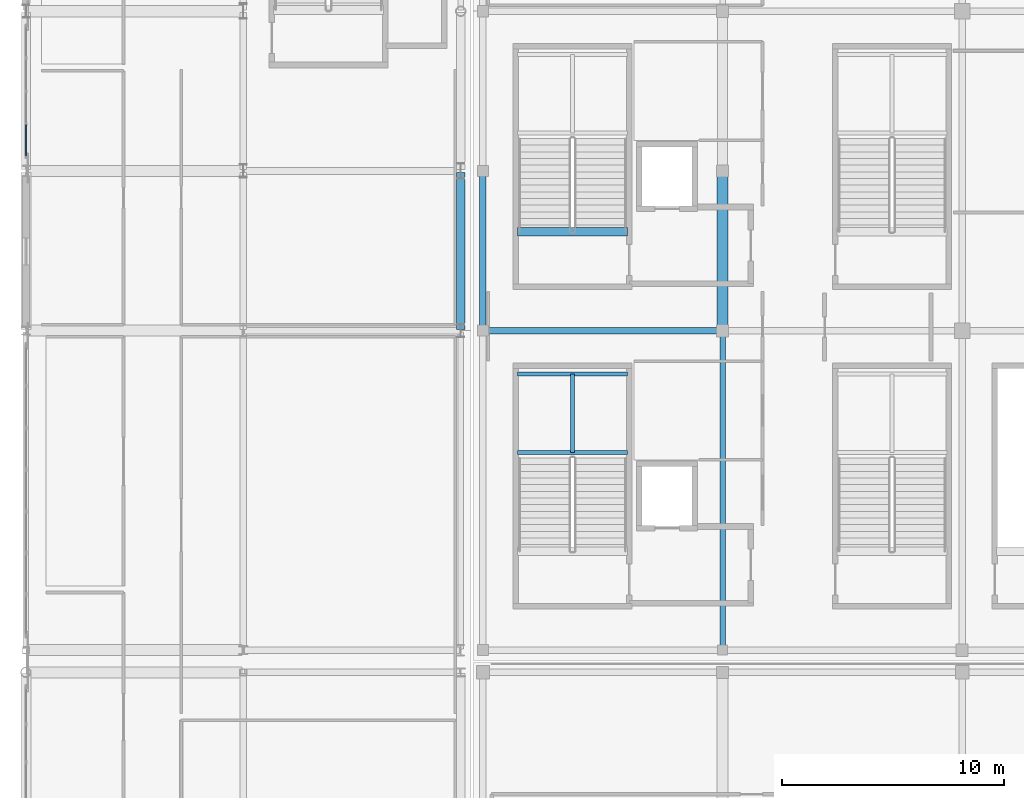
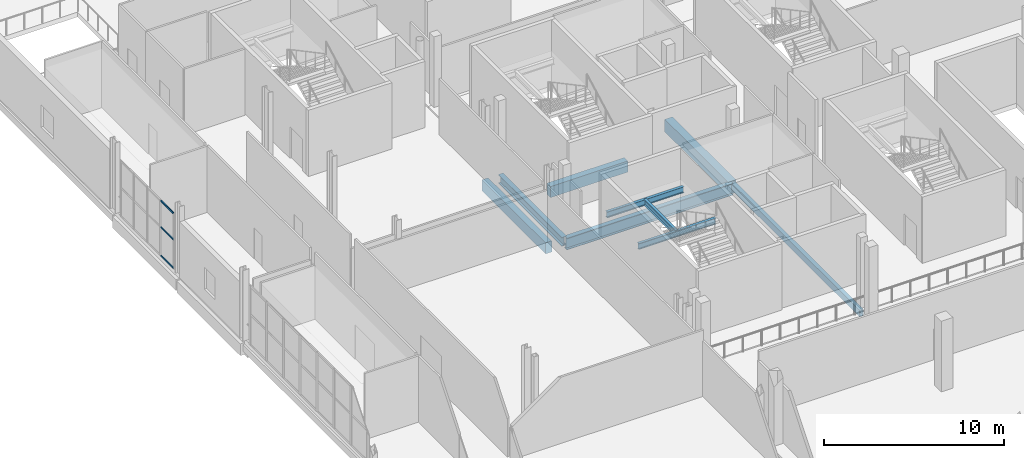
# One storey, part 19 of 129: 9 beams, 3 members, 1 element without a shape of its own.
"""IFC4 building model written with IfcOpenShell, lengths in metres."""

from ifc_helpers import new_model, si_unit, direction, frame, origin, origin_2d, place, context, subcontext, project, spatial, rectangle, hollow_rectangle, i_section, extrude, material, material_profile, profile_set, type_object, element, aggregate, save


model = new_model("IFC4")

# Units and contexts
model_context = context("Model", 3, precision=1e-05, world=origin(), true_north=direction((0.0, 1.0)))
body_context = subcontext(model_context, "Body", "Model", "MODEL_VIEW")
ifc_project = project(units=[si_unit("LENGTHUNIT", "METRE"), si_unit("AREAUNIT", "SQUARE_METRE"), si_unit("VOLUMEUNIT", "CUBIC_METRE"), si_unit("PLANEANGLEUNIT", "RADIAN"), si_unit("MASSUNIT", "GRAM", prefix="KILO")], contexts=[model_context])

# Site, building, storey
site_placement = place(None, origin())
site = spatial("IfcSite", under=ifc_project, at=site_placement, CompositionType="ELEMENT")
building_placement = place(site_placement, origin())
building = spatial("IfcBuilding", under=site, at=building_placement, Name="Koshinbarg Plaza Stadium", CompositionType="ELEMENT")
storey_placement = place(building_placement, frame((0.0, 0.0, 5.39990234375)))
storey = spatial("IfcBuildingStorey", under=building, at=storey_placement, Name="L01", CompositionType="ELEMENT", Elevation=5.39990234375)

# Beams
ifc_material_1 = material(Name="Concrete C40/50", Category="concrete")
ifc_material_profile_1 = material_profile(ifc_material_1, rectangle(XDim=0.39990234375, YDim=0.75, at=origin_2d()), Name="RC 400x750")
ifc_profile_set_1 = profile_set([ifc_material_profile_1], Name="Concrete C40/50")
beam_type_1 = type_object("IfcBeamType", Name="BM-RCG-03", PredefinedType="USERDEFINED", material=ifc_profile_set_1)
beam_1_placement = place(storey_placement, frame((23.60009765625, 39.9599609375, -0.69482421875), z_axis=(0.0, 1.0, 0.0), x_axis=(-1.0, 0.0, 0.0)))
element("IfcBeam", 1, at=beam_1_placement, inside=storey, type_object=beam_type_1, Name="L01 Y girder 4/F-G", ObjectType="GIRDER", PredefinedType="USERDEFINED", context=body_context, shape_type="SweptSolid", body=[
    extrude(rectangle(XDim=0.39990234375, YDim=0.75, at=origin_2d()), origin(), (0.0, 0.0, 1.0), 7.080078125),
])
beam_2_placement = place(storey_placement, frame((26.14990234375, 44.360107421875, -0.375), z_axis=(1.0, 0.0, 0.0), x_axis=(0.0, 1.0, 0.0)))
element("IfcBeam", 2, at=beam_2_placement, inside=storey, type_object=beam_type_1, Name="L01 stair landing header beam C02", ObjectType="GIRDER", PredefinedType="USERDEFINED", context=body_context, shape_type="SweptSolid", body=[
    extrude(rectangle(XDim=0.39990234375, YDim=0.75, at=origin_2d()), origin(), (0.0, 0.0, 1.0), 4.97021484375),
])
ifc_material_profile_2 = material_profile(ifc_material_1, rectangle(XDim=0.5, YDim=0.85009765625, at=origin_2d()), Name="RC 500x850")
ifc_profile_set_2 = profile_set([ifc_material_profile_2], Name="Concrete C40/50")
beam_type_2 = type_object("IfcBeamType", Name="BM-RCG-05", PredefinedType="USERDEFINED", material=ifc_profile_set_2)
beam_3_placement = place(storey_placement, frame((35.39990234375, 39.9599609375, -0.744873046875), z_axis=(0.0, 1.0, 0.0), x_axis=(-1.0, 0.0, 0.0)))
element("IfcBeam", 3, at=beam_3_placement, inside=storey, type_object=beam_type_2, Name="L01 Y girder 6/F-G", ObjectType="GIRDER", PredefinedType="USERDEFINED", context=body_context, shape_type="SweptSolid", body=[
    extrude(rectangle(XDim=0.5, YDim=0.85009765625, at=origin_2d()), origin(), (0.0, 0.0, 1.0), 7.080078125),
])
ifc_material_2 = material(Name="Steel S355", Category="steel")
ifc_material_profile_3 = material_profile(ifc_material_2, i_section(OverallWidth=0.179931640625, OverallDepth=0.39990234375, WebThickness=0.008544921875, FlangeThickness=0.013427734375, at=origin_2d()), Name="IPE 400")
ifc_profile_set_3 = profile_set([ifc_material_profile_3], Name="Steel S355")
beam_type_3 = type_object("IfcBeamType", Name="BM-SBM-01", PredefinedType="BEAM", material=ifc_profile_set_3)
for number, where, z_axis, x_axis, name in (
    (4, (26.14990234375, 34.409912109375, 1.880126953125), (1.0, 0.0, 0.0), (0.0, 1.0, 0.0), "L01 Protected Exit Stair C01 landing trimmer beam 1"),
    (5, (26.14990234375, 37.949951171875, 1.880126953125), (1.0, 0.0, 0.0), (0.0, 1.0, 0.0), "L01 Protected Exit Stair C01 landing trimmer beam 2"),
):
    element("IfcBeam", number, at=place(storey_placement, frame(where, z_axis=z_axis, x_axis=x_axis)), inside=storey, type_object=beam_type_3, Name=name, PredefinedType="BEAM", context=body_context, shape_type="SweptSolid", body=[
        extrude(i_section(OverallWidth=0.179931640625, OverallDepth=0.39990234375, WebThickness=0.008544921875, FlangeThickness=0.013427734375, at=origin_2d()), origin(), (0.0, 0.0, 1.0), 4.97021484375),
    ])
beam_4_placement = place(storey_placement, frame((28.635009765625, 34.409912109375, 1.880126953125), z_axis=(0.0, 1.0, 0.0), x_axis=(-1.0, 0.0, 0.0)))
element("IfcBeam", 6, at=beam_4_placement, inside=storey, type_object=beam_type_3, Name="L01 Protected Exit Stair C01 landing trimmer beam 3", PredefinedType="BEAM", context=body_context, shape_type="SweptSolid", body=[
    extrude(i_section(OverallWidth=0.179931640625, OverallDepth=0.39990234375, WebThickness=0.008544921875, FlangeThickness=0.013427734375, at=origin_2d()), origin(), (0.0, 0.0, 1.0), 3.5400390625),
])
ifc_material_profile_4 = material_profile(ifc_material_2, i_section(OverallWidth=0.300048828125, OverallDepth=0.60009765625, WebThickness=0.015380859375, FlangeThickness=0.030029296875, at=origin_2d()), Name="HEB 600")
ifc_profile_set_4 = profile_set([ifc_material_profile_4], Name="Steel S355")
beam_type_4 = type_object("IfcBeamType", Name="BM-SGIR-02", PredefinedType="USERDEFINED", material=ifc_profile_set_4)
beam_5_placement = place(storey_placement, frame((24.60009765625, 39.9599609375, -0.619873046875), z_axis=(0.0, 1.0, 0.0), x_axis=(-1.0, 0.0, 0.0)))
element("IfcBeam", 7, at=beam_5_placement, inside=storey, type_object=beam_type_4, Name="L01 Y girder 5/F-G", ObjectType="GIRDER", PredefinedType="USERDEFINED", context=body_context, shape_type="SweptSolid", body=[
    extrude(i_section(OverallWidth=0.300048828125, OverallDepth=0.60009765625, WebThickness=0.015380859375, FlangeThickness=0.030029296875, at=origin_2d()), origin(), (0.0, 0.0, 1.0), 7.080078125),
])
ifc_material_profile_5 = material_profile(ifc_material_2, i_section(OverallWidth=0.300048828125, OverallDepth=0.800048828125, WebThickness=0.017578125, FlangeThickness=0.032958984375, at=origin_2d()), Name="HEB 800")
ifc_profile_set_5 = profile_set([ifc_material_profile_5], Name="Steel S355")
beam_type_5 = type_object("IfcBeamType", Name="BM-SGIR-04", PredefinedType="USERDEFINED", material=ifc_profile_set_5)
beam_6_placement = place(storey_placement, frame((24.659912109375, 39.89990234375, -0.719970703125), z_axis=(1.0, 0.0, 0.0), x_axis=(0.0, 1.0, 0.0)))
element("IfcBeam", 8, at=beam_6_placement, inside=storey, type_object=beam_type_5, Name="L01 X girder F/5-6", ObjectType="GIRDER", PredefinedType="USERDEFINED", context=body_context, shape_type="SweptSolid", body=[
    extrude(i_section(OverallWidth=0.300048828125, OverallDepth=0.800048828125, WebThickness=0.017578125, FlangeThickness=0.032958984375, at=origin_2d()), origin(), (0.0, 0.0, 1.0), 10.68017578125),
])
ifc_material_profile_6 = material_profile(ifc_material_2, hollow_rectangle(XDim=0.25, YDim=0.449951171875, WallThickness=0.01611328125, at=origin_2d()), Name="RHS 450x250x16")
ifc_profile_set_6 = profile_set([ifc_material_profile_6], Name="Steel S355")
beam_type_6 = type_object("IfcBeamType", Name="BM-SGIR-06", PredefinedType="USERDEFINED", material=ifc_profile_set_6)
beam_7_placement = place(storey_placement, frame((35.39990234375, 25.56005859375, -0.544921875), z_axis=(0.0, 1.0, 0.0), x_axis=(-1.0, 0.0, 0.0)))
element("IfcBeam", 9, at=beam_7_placement, inside=storey, type_object=beam_type_6, Name="L01 Y girder 6/E-F", ObjectType="GIRDER", PredefinedType="USERDEFINED", context=body_context, shape_type="SweptSolid", body=[
    extrude(hollow_rectangle(XDim=0.25, YDim=0.449951171875, WallThickness=0.01611328125, at=origin_2d()), origin(), (0.0, 0.0, 1.0), 14.280029296875),
])

# Curtain wall, members
ifc_material_3 = material(Name="Thermally broken anodised aluminium and low-E double glazing", Category="aluminium")
curtain_wall_type = type_object("IfcCurtainWallType", Name="CW-SYS-05", PredefinedType="NOTDEFINED", material=ifc_material_3)
curtain_wall_placement = place(storey_placement, origin())
curtain_wall = element("IfcCurtainWall", 10, at=curtain_wall_placement, inside=storey, type_object=curtain_wall_type, Name="L01 unitised curtain wall CW-L01-004", PredefinedType="NOTDEFINED")
ifc_material_4 = material(Name="Anodised aluminium transom", Category="aluminium")
ifc_material_profile_7 = material_profile(ifc_material_4, rectangle(XDim=0.06005859375, YDim=0.110107421875, at=origin_2d()), Name="ALU 60x110")
ifc_profile_set_7 = profile_set([ifc_material_profile_7], Name="Anodised aluminium transom")
member_type = type_object("IfcMemberType", Name="CW-TRN-01", PredefinedType="USERDEFINED", material=ifc_profile_set_7)
member_1_placement = place(storey_placement, frame((4.0, 47.780029296875, 0.030029296875), z_axis=(0.0, 1.0, 0.0), x_axis=(-1.0, 0.0, 0.0)))
member_1 = element("IfcMember", 11, at=member_1_placement, type_object=member_type, Name="CW05 transom 1.1", ObjectType="TRANSOM", PredefinedType="USERDEFINED", context=body_context, shape_type="SweptSolid", body=[
    extrude(rectangle(XDim=0.06005859375, YDim=0.110107421875, at=origin_2d()), origin(), (0.0, 0.0, 1.0), 1.39990234375),
])
member_2_placement = place(storey_placement, frame((4.0, 47.780029296875, 1.965576171875), z_axis=(0.0, 1.0, 0.0), x_axis=(-1.0, 0.0, 0.0)))
member_2 = element("IfcMember", 12, at=member_2_placement, type_object=member_type, Name="CW05 transom 1.2", ObjectType="TRANSOM", PredefinedType="USERDEFINED", context=body_context, shape_type="SweptSolid", body=[
    extrude(rectangle(XDim=0.06005859375, YDim=0.110107421875, at=origin_2d()), origin(), (0.0, 0.0, 1.0), 1.39990234375),
])
member_3_placement = place(storey_placement, frame((4.0, 47.780029296875, 3.75), z_axis=(0.0, 1.0, 0.0), x_axis=(-1.0, 0.0, 0.0)))
member_3 = element("IfcMember", 13, at=member_3_placement, type_object=member_type, Name="CW05 transom 1.3", ObjectType="TRANSOM", PredefinedType="USERDEFINED", context=body_context, shape_type="SweptSolid", body=[
    extrude(rectangle(XDim=0.06005859375, YDim=0.110107421875, at=origin_2d()), origin(), (0.0, 0.0, 1.0), 1.39990234375),
])
aggregate(curtain_wall, [member_1, member_2, member_3])

save(model, "model.ifc")
